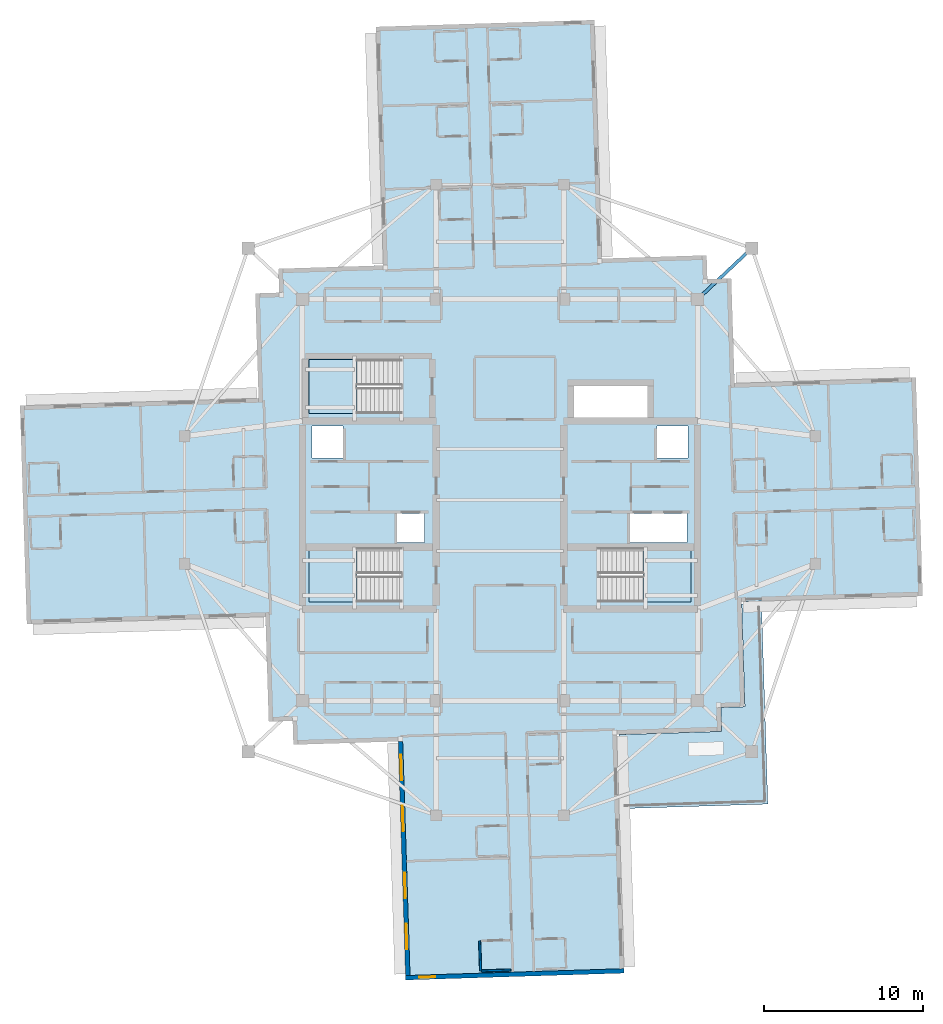
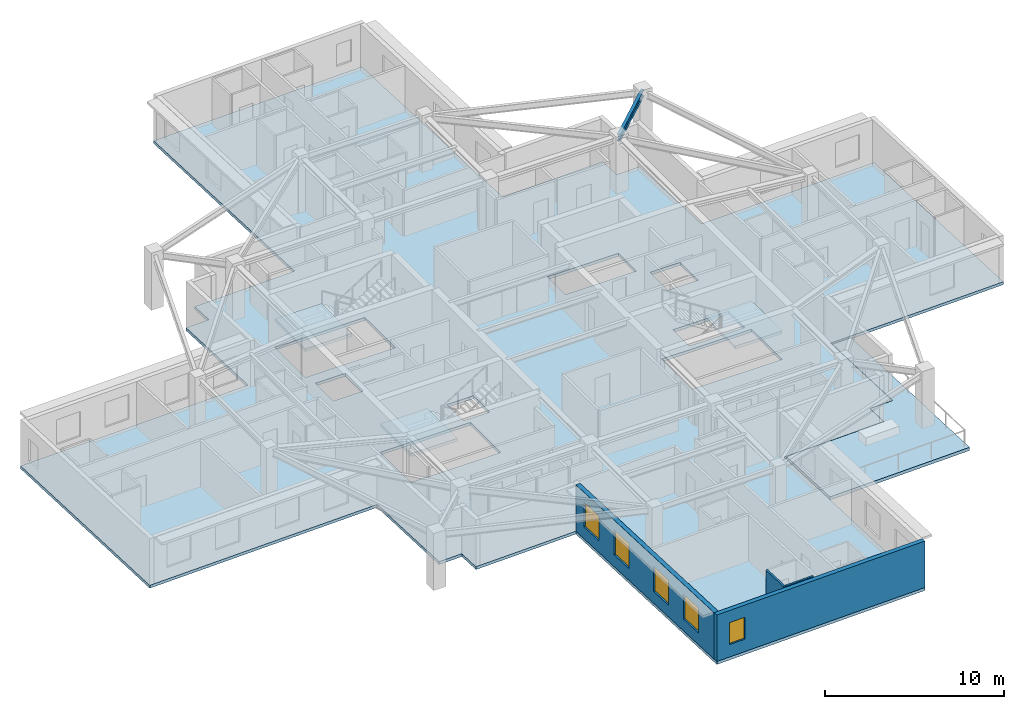
# One storey, part 2 of 13: 5 slabs, 5 windows, 4 walls, 1 beam, 5 openings, 3 elements without a shape of their own.
"""IFC4 building model written with IfcOpenShell, lengths in metres."""

from ifc_helpers import new_model, si_unit, direction, frame, frame_2d, origin, origin_2d, place, context, subcontext, project, spatial, polyline, rectangle, i_section, outline, extrude, material, layer, layer_set, material_profile, profile_set, type_object, element, fill, aggregate, save


model = new_model("IFC4")

# Units and contexts
model_context = context("Model", 3, precision=1e-05, world=origin(), true_north=direction((0.0, 1.0)))
body_context = subcontext(model_context, "Body", "Model", "MODEL_VIEW")
ifc_project = project(units=[si_unit("LENGTHUNIT", "METRE"), si_unit("AREAUNIT", "SQUARE_METRE"), si_unit("VOLUMEUNIT", "CUBIC_METRE"), si_unit("PLANEANGLEUNIT", "RADIAN"), si_unit("MASSUNIT", "GRAM", prefix="KILO")], contexts=[model_context])

# Site, building, storey
site_placement = place(None, origin())
site = spatial("IfcSite", under=ifc_project, at=site_placement, CompositionType="ELEMENT")
building_placement = place(site_placement, origin())
building = spatial("IfcBuilding", under=site, at=building_placement, Name="Qingluan Cross Belvedere", CompositionType="ELEMENT")
storey_placement = place(building_placement, frame((0.0, 0.0, 273.300048828125)))
storey = spatial("IfcBuildingStorey", under=building, at=storey_placement, Name="L68", CompositionType="ELEMENT", Elevation=273.300048828125)

# Beam
ifc_material_1 = material(Name="Steel Q420GJB", Category="steel")
ifc_material_profile = material_profile(ifc_material_1, i_section(OverallWidth=0.199951171875, OverallDepth=0.449951171875, WebThickness=0.009033203125, FlangeThickness=0.013916015625, FilletRadius=0.01611328125, at=origin_2d()), Name="HN450x200x9x14")
ifc_profile_set = profile_set([ifc_material_profile], Name="Steel Q420GJB")
beam_type = type_object("IfcBeamType", Name="Steel_Beam_HN450x200x9x14", PredefinedType="JOIST", material=ifc_profile_set)
beam_placement = place(storey_placement, frame((12.39990234375, 12.60009765625, 3.474853515625), z_axis=(0.728219948308, 0.685343495546, 0.0), x_axis=(-0.685343495546, 0.728219948308, 0.0)))
element("IfcBeam", 1, at=beam_placement, inside=storey, type_object=beam_type, Name="Corner beam 1 L68-RNE", PredefinedType="JOIST", context=body_context, shape_type="SweptSolid", body=[
    extrude(i_section(OverallWidth=0.199951171875, OverallDepth=0.449951171875, WebThickness=0.009033203125, FlangeThickness=0.013916015625, FilletRadius=0.01611328125, at=origin_2d()), origin(), (0.0, 0.0, 1.0), 4.669189453125),
])

# Slab
ifc_material_2 = material(Name="Concrete C40", Category="concrete")
ifc_layer_1 = layer(ifc_material_2, 0.199951171875, Name="FloorSlab_200")
ifc_layer_set_1 = layer_set([ifc_layer_1], Name="Concrete C40")
slab_type_1 = type_object("IfcSlabType", Name="FloorSlab_200", PredefinedType="FLOOR", material=ifc_layer_set_1)
slab_1_placement = place(storey_placement, frame((0.0, 0.0, -0.199951171875)))
element("IfcSlab", 2, at=slab_1_placement, inside=storey, type_object=slab_type_1, Name="Structural floor slab L68", PredefinedType="FLOOR", context=body_context, shape_type="SweptSolid", body=[
    extrude(outline(polyline([(7.79638671875, -29.689697265625), (7.325927734375, -14.71728515625), (13.902587890625, -14.510498046875), (13.85546875, -13.01123046875), (15.354736328125, -12.964111328125), (15.148193359375, -6.38720703125), (26.5224609375, -6.02978515625), (26.091552734375, 7.683349609375), (14.71728515625, 7.325927734375), (14.510498046875, 13.902587890625), (13.01123046875, 13.85546875), (12.964111328125, 15.354736328125), (6.38720703125, 15.148193359375), (5.916748046875, 30.12060546875), (-7.79638671875, 29.689697265625), (-7.325927734375, 14.71728515625), (-13.902587890625, 14.510498046875), (-13.85546875, 13.01123046875), (-15.354736328125, 12.964111328125), (-15.148193359375, 6.38720703125), (-30.12060546875, 5.916748046875), (-29.689697265625, -7.79638671875), (-14.71728515625, -7.325927734375), (-14.510498046875, -13.902587890625), (-13.01123046875, -13.85546875), (-12.964111328125, -15.354736328125), (-6.38720703125, -15.148193359375), (-5.916748046875, -30.12060546875), (7.79638671875, -29.689697265625)]), holes=[polyline([(-12.0, -3.0), (-6.179931640625, -3.0), (-6.179931640625, -6.39990234375), (-12.0, -6.39990234375), (-12.0, -3.0)]), polyline([(6.179931640625, -3.0), (12.0, -3.0), (12.0, -6.39990234375), (6.179931640625, -6.39990234375), (6.179931640625, -3.0)]), polyline([(-12.0, 8.820068359375), (-6.179931640625, 8.820068359375), (-6.179931640625, 5.419921875), (-12.0, 5.419921875), (-12.0, 8.820068359375)]), polyline([(-11.800048828125, 4.64990234375), (-9.85009765625, 4.64990234375), (-9.85009765625, 2.64990234375), (-11.800048828125, 2.64990234375), (-11.800048828125, 4.64990234375)]), polyline([(9.85009765625, 4.64990234375), (11.800048828125, 4.64990234375), (11.800048828125, 2.64990234375), (9.85009765625, 2.64990234375), (9.85009765625, 4.64990234375)]), polyline([(-6.449951171875, -0.840087890625), (-4.75, -0.840087890625), (-4.75, -2.659912109375), (-6.449951171875, -2.659912109375), (-6.449951171875, -0.840087890625)]), polyline([(8.14990234375, -0.840087890625), (11.75, -0.840087890625), (11.75, -2.659912109375), (8.14990234375, -2.659912109375), (8.14990234375, -0.840087890625)]), polyline([(4.64990234375, 7.14990234375), (9.25, 7.14990234375), (9.25, 5.14990234375), (4.64990234375, 5.14990234375), (4.64990234375, 7.14990234375)])]), origin(), (0.0, 0.0, 1.0), 0.199951171875),
])

# Stair, slab
ifc_material_3 = material(Name="Concrete C40", Category="concrete")
stair_type = type_object("IfcStairType", Name="CoreDoglegStair_1620", PredefinedType="HALF_TURN_STAIR", material=ifc_material_3)
stair_1_placement = place(storey_placement, origin())
stair_1 = element("IfcStair", 3, at=stair_1_placement, inside=storey, type_object=stair_type, Name="L68 ST1", PredefinedType="HALF_TURN_STAIR")
ifc_material_4 = material(Name="Concrete C40", Category="concrete")
ifc_layer_2 = layer(ifc_material_4, 0.179931640625, Name="StairLandingSlab_180")
ifc_layer_set_2 = layer_set([ifc_layer_2], Name="Concrete C40")
slab_type_2 = type_object("IfcSlabType", Name="StairLandingSlab_180", PredefinedType="LANDING", material=ifc_layer_set_2)
slab_2_placement = place(storey_placement, frame((0.0, 0.0, 1.75)))
slab_2 = element("IfcSlab", 4, at=slab_2_placement, type_object=slab_type_2, Name="ST1 landing 1", PredefinedType="LANDING", context=body_context, shape_type="SweptSolid", body=[
    extrude(outline(polyline([(-8.97998046875, -3.0), (-12.0, -3.0), (-12.0, -6.39990234375), (-8.97998046875, -6.39990234375), (-8.97998046875, -3.0)])), origin(), (0.0, 0.0, 1.0), 0.199951171875),
])
aggregate(stair_1, [slab_2])

stair_2_placement = place(storey_placement, origin())
stair_2 = element("IfcStair", 5, at=stair_2_placement, inside=storey, type_object=stair_type, Name="L68 ST2", PredefinedType="HALF_TURN_STAIR")
slab_3_placement = place(storey_placement, frame((0.0, 0.0, 1.75)))
slab_3 = element("IfcSlab", 6, at=slab_3_placement, type_object=slab_type_2, Name="ST2 landing 1", PredefinedType="LANDING", context=body_context, shape_type="SweptSolid", body=[
    extrude(outline(polyline([(8.97998046875, -6.39990234375), (12.0, -6.39990234375), (12.0, -3.0), (8.97998046875, -3.0), (8.97998046875, -6.39990234375)])), origin(), (0.0, 0.0, 1.0), 0.199951171875),
])
aggregate(stair_2, [slab_3])

stair_3_placement = place(storey_placement, origin())
stair_3 = element("IfcStair", 7, at=stair_3_placement, inside=storey, type_object=stair_type, Name="L68 ST3", PredefinedType="HALF_TURN_STAIR")
slab_4_placement = place(storey_placement, frame((0.0, 0.0, 1.75)))
slab_4 = element("IfcSlab", 8, at=slab_4_placement, type_object=slab_type_2, Name="ST3 landing 1", PredefinedType="LANDING", context=body_context, shape_type="SweptSolid", body=[
    extrude(outline(polyline([(-8.97998046875, 8.820068359375), (-12.0, 8.820068359375), (-12.0, 5.419921875), (-8.97998046875, 5.419921875), (-8.97998046875, 8.820068359375)])), origin(), (0.0, 0.0, 1.0), 0.199951171875),
])
aggregate(stair_3, [slab_4])

# Slab
ifc_material_5 = material(Name="Concrete C40", Category="concrete")
ifc_layer_3 = layer(ifc_material_5, 0.219970703125, Name="TerraceSlab_220")
ifc_layer_set_3 = layer_set([ifc_layer_3], Name="Concrete C40")
slab_type_3 = type_object("IfcSlabType", Name="TerraceSlab_220", PredefinedType="FLOOR", material=ifc_layer_set_3)
slab_5_placement = place(storey_placement, frame((0.0, 0.0, -0.219970703125)))
element("IfcSlab", 9, at=slab_5_placement, inside=storey, type_object=slab_type_3, Name="Spiralling winter-garden terrace slab L68", PredefinedType="FLOOR", context=body_context, shape_type="SweptSolid", body=[
    extrude(outline(polyline([(15.16259765625, -6.527099609375), (15.36328125, -12.969482421875), (13.86572265625, -13.02099609375), (13.91259765625, -14.51025390625), (13.90478515625, -14.520263671875), (7.466064453125, -14.72265625), (7.6123046875, -19.37060546875), (16.8076171875, -19.08154296875), (16.411865234375, -6.48779296875), (15.16259765625, -6.527099609375)])), origin(), (0.0, 0.0, 1.0), 0.219970703125),
])

# Walls
ifc_material_6 = material(Name="Moisture-resistant gypsum board lining")
ifc_layer_4 = layer(ifc_material_6, 0.1201171875, Name="EnsuiteWetPartition_120")
ifc_layer_set_4 = layer_set([ifc_layer_4], Name="Moisture-resistant gypsum board lining")
wall_type_1 = type_object("IfcWallType", Name="EnsuiteWetPartition_120", PredefinedType="PARTITIONING", material=ifc_layer_set_4)
wall_1_placement = place(storey_placement, frame((-1.15234375, -29.55078125, 0.0), z_axis=(0.0, 0.0, 1.0), x_axis=(0.999507221803, 0.031389704724, 0.0)))
element("IfcWall", 10, at=wall_1_placement, inside=storey, type_object=wall_type_1, Name="Partition L68:S:bw1_1", PredefinedType="PARTITIONING", context=body_context, shape_type="SweptSolid", body=[
    extrude(rectangle(XDim=1.820068359375, YDim=0.1201171875, at=frame_2d((0.91015625, 0.0))), origin(), (0.0, 0.0, 1.0), 3.169921875),
])
wall_2_placement = place(storey_placement, frame((-1.2763671875, -27.673583984375, 0.0), z_axis=(0.0, 0.0, 1.0), x_axis=(0.031425292588, -0.999506103526, 0.0)))
element("IfcWall", 11, at=wall_2_placement, inside=storey, type_object=wall_type_1, Name="Partition L68:S:bc1_1", PredefinedType="PARTITIONING", context=body_context, shape_type="SweptSolid", body=[
    extrude(rectangle(XDim=1.880126953125, YDim=0.1201171875, at=frame_2d((0.93994140625, 0.0))), origin(), (0.0, 0.0, 1.0), 3.169921875),
])

# Wall, openings, windows
ifc_material_7 = material(Name="Precast concrete C45", Category="concrete")
ifc_layer_5 = layer(ifc_material_7, 0.280029296875, Name="PrecastFacadeWall_280")
ifc_layer_set_5 = layer_set([ifc_layer_5], Name="Precast concrete C45")
wall_type_2 = type_object("IfcWallType", Name="PrecastFacadeWall_280", PredefinedType="STANDARD", material=ifc_layer_set_5)
wall_3_placement = place(storey_placement, frame((-6.247314453125, -15.143798828125, 0.0), z_axis=(0.0, 0.0, 1.0), x_axis=(0.031406376864, -0.999506698073, 0.0)))
wall_3 = element("IfcWall", 12, at=wall_3_placement, inside=storey, type_object=wall_type_2, Name="Facade wall L68-SA", PredefinedType="STANDARD", context=body_context, shape_type="SweptSolid", body=[
    extrude(rectangle(XDim=14.699951171875, YDim=0.280029296875, at=frame_2d((7.35009765625, 0.0))), origin(), (0.0, 0.0, 1.0), 3.179931640625),
])
opening_1_placement = place(wall_3_placement, frame((0.85009765625, 0.0, 0.800048828125)))
opening_1 = element("IfcOpeningElement", 13, at=opening_1_placement, cuts=wall_3, Name="Opening W-04", PredefinedType="OPENING", context=body_context, shape_type="SweptSolid", body=[
    extrude(rectangle(XDim=1.60009765625, YDim=1.699951171875, at=frame_2d((0.800048828125, 0.85009765625))), frame((0.0, 0.14990234375, 0.0), z_axis=(0.0, -1.0, 0.0), x_axis=(1.0, 0.0, 0.0)), (0.0, 0.0, 1.0), 0.300048828125),
])
opening_2_placement = place(wall_3_placement, frame((4.050048828125, 0.0, 0.800048828125)))
opening_2 = element("IfcOpeningElement", 14, at=opening_2_placement, cuts=wall_3, Name="Opening W-04", PredefinedType="OPENING", context=body_context, shape_type="SweptSolid", body=[
    extrude(rectangle(XDim=1.60009765625, YDim=1.699951171875, at=frame_2d((0.800048828125, 0.85009765625))), frame((0.0, 0.14990234375, 0.0), z_axis=(0.0, -1.0, 0.0), x_axis=(1.0, 0.0, 0.0)), (0.0, 0.0, 1.0), 0.300048828125),
])
opening_3_placement = place(wall_3_placement, frame((8.25, 0.0, 0.800048828125)))
opening_3 = element("IfcOpeningElement", 15, at=opening_3_placement, cuts=wall_3, Name="Opening W-04", PredefinedType="OPENING", context=body_context, shape_type="SweptSolid", body=[
    extrude(rectangle(XDim=1.60009765625, YDim=1.699951171875, at=frame_2d((0.800048828125, 0.85009765625))), frame((0.0, 0.14990234375, 0.0), z_axis=(0.0, -1.0, 0.0), x_axis=(1.0, 0.0, 0.0)), (0.0, 0.0, 1.0), 0.300048828125),
])
opening_4_placement = place(wall_3_placement, frame((11.449951171875, 0.0, 0.800048828125)))
opening_4 = element("IfcOpeningElement", 16, at=opening_4_placement, cuts=wall_3, Name="Opening W-04", PredefinedType="OPENING", context=body_context, shape_type="SweptSolid", body=[
    extrude(rectangle(XDim=1.60009765625, YDim=1.699951171875, at=frame_2d((0.800048828125, 0.85009765625))), frame((0.0, 0.14990234375, 0.0), z_axis=(0.0, -1.0, 0.0), x_axis=(1.0, 0.0, 0.0)), (0.0, 0.0, 1.0), 0.300048828125),
])
ifc_material_8 = material(Name="Thermally broken triple Low-E glass in aluminium frame", Category="aluminium")
window_type_1 = type_object("IfcWindowType", Name="SuiteCornerWin_1600x1700", PartitioningType="SINGLE_PANEL", PredefinedType="WINDOW", material=ifc_material_8)
window_1_placement = place(opening_1_placement, origin())
window_1 = element("IfcWindow", 17, at=window_1_placement, inside=storey, type_object=window_type_1, Name="Ribbon window L68-SA-1", OverallHeight=1.699951171875, OverallWidth=1.60009765625, PartitioningType="SINGLE_PANEL", PredefinedType="WINDOW", context=body_context, shape_type="SweptSolid", body=[
    extrude(rectangle(XDim=1.60009765625, YDim=1.699951171875, at=frame_2d((0.800048828125, 0.85009765625))), frame((0.0, 0.030029296875, 0.0), z_axis=(0.0, -1.0, 0.0), x_axis=(1.0, 0.0, 0.0)), (0.0, 0.0, 1.0), 0.06005859375),
])
fill(opening_1, window_1)
window_2_placement = place(opening_2_placement, origin())
window_2 = element("IfcWindow", 18, at=window_2_placement, inside=storey, type_object=window_type_1, Name="Ribbon window L68-SA-2", OverallHeight=1.699951171875, OverallWidth=1.60009765625, PartitioningType="SINGLE_PANEL", PredefinedType="WINDOW", context=body_context, shape_type="SweptSolid", body=[
    extrude(rectangle(XDim=1.60009765625, YDim=1.699951171875, at=frame_2d((0.800048828125, 0.85009765625))), frame((0.0, 0.030029296875, 0.0), z_axis=(0.0, -1.0, 0.0), x_axis=(1.0, 0.0, 0.0)), (0.0, 0.0, 1.0), 0.06005859375),
])
fill(opening_2, window_2)
window_3_placement = place(opening_3_placement, origin())
window_3 = element("IfcWindow", 19, at=window_3_placement, inside=storey, type_object=window_type_1, Name="Ribbon window L68-SA-3", OverallHeight=1.699951171875, OverallWidth=1.60009765625, PartitioningType="SINGLE_PANEL", PredefinedType="WINDOW", context=body_context, shape_type="SweptSolid", body=[
    extrude(rectangle(XDim=1.60009765625, YDim=1.699951171875, at=frame_2d((0.800048828125, 0.85009765625))), frame((0.0, 0.030029296875, 0.0), z_axis=(0.0, -1.0, 0.0), x_axis=(1.0, 0.0, 0.0)), (0.0, 0.0, 1.0), 0.06005859375),
])
fill(opening_3, window_3)
window_4_placement = place(opening_4_placement, origin())
window_4 = element("IfcWindow", 20, at=window_4_placement, inside=storey, type_object=window_type_1, Name="Ribbon window L68-SA-4", OverallHeight=1.699951171875, OverallWidth=1.60009765625, PartitioningType="SINGLE_PANEL", PredefinedType="WINDOW", context=body_context, shape_type="SweptSolid", body=[
    extrude(rectangle(XDim=1.60009765625, YDim=1.699951171875, at=frame_2d((0.800048828125, 0.85009765625))), frame((0.0, 0.030029296875, 0.0), z_axis=(0.0, -1.0, 0.0), x_axis=(1.0, 0.0, 0.0)), (0.0, 0.0, 1.0), 0.06005859375),
])
fill(opening_4, window_4)

# Wall, opening, window
wall_4_placement = place(storey_placement, frame((-5.921142578125, -29.980712890625, 0.0), z_axis=(0.0, 0.0, 1.0), x_axis=(0.999506662003, 0.031407524763, 0.0)))
wall_4 = element("IfcWall", 21, at=wall_4_placement, inside=storey, type_object=wall_type_2, Name="Arm tip precast facade wall L68-S", PredefinedType="STANDARD", context=body_context, shape_type="SweptSolid", body=[
    extrude(rectangle(XDim=13.719970703125, YDim=0.280029296875, at=frame_2d((6.85986328125, 0.0))), origin(), (0.0, 0.0, 1.0), 3.179931640625),
])
opening_5_placement = place(wall_4_placement, frame((0.85009765625, 0.0, 0.85009765625)))
opening_5 = element("IfcOpeningElement", 22, at=opening_5_placement, cuts=wall_4, Name="Opening W-03", PredefinedType="OPENING", context=body_context, shape_type="SweptSolid", body=[
    extrude(rectangle(XDim=1.0, YDim=1.5, at=frame_2d((0.5, 0.75))), frame((0.0, 0.14990234375, 0.0), z_axis=(0.0, -1.0, 0.0), x_axis=(1.0, 0.0, 0.0)), (0.0, 0.0, 1.0), 0.300048828125),
])
ifc_material_9 = material(Name="Thermally broken triple Low-E glass in aluminium frame", Category="aluminium")
window_type_2 = type_object("IfcWindowType", Name="TriApexWin_1000x1500", PartitioningType="SINGLE_PANEL", PredefinedType="WINDOW", material=ifc_material_9)
window_5_placement = place(opening_5_placement, origin())
window_5 = element("IfcWindow", 23, at=window_5_placement, inside=storey, type_object=window_type_2, Name="Arm tip triangular window L68-S", OverallHeight=1.5, OverallWidth=1.0, PartitioningType="SINGLE_PANEL", PredefinedType="WINDOW", context=body_context, shape_type="SweptSolid", body=[
    extrude(rectangle(XDim=1.0, YDim=1.5, at=frame_2d((0.5, 0.75))), frame((0.0, 0.030029296875, 0.0), z_axis=(0.0, -1.0, 0.0), x_axis=(1.0, 0.0, 0.0)), (0.0, 0.0, 1.0), 0.06005859375),
])
fill(opening_5, window_5)

save(model, "model.ifc")
